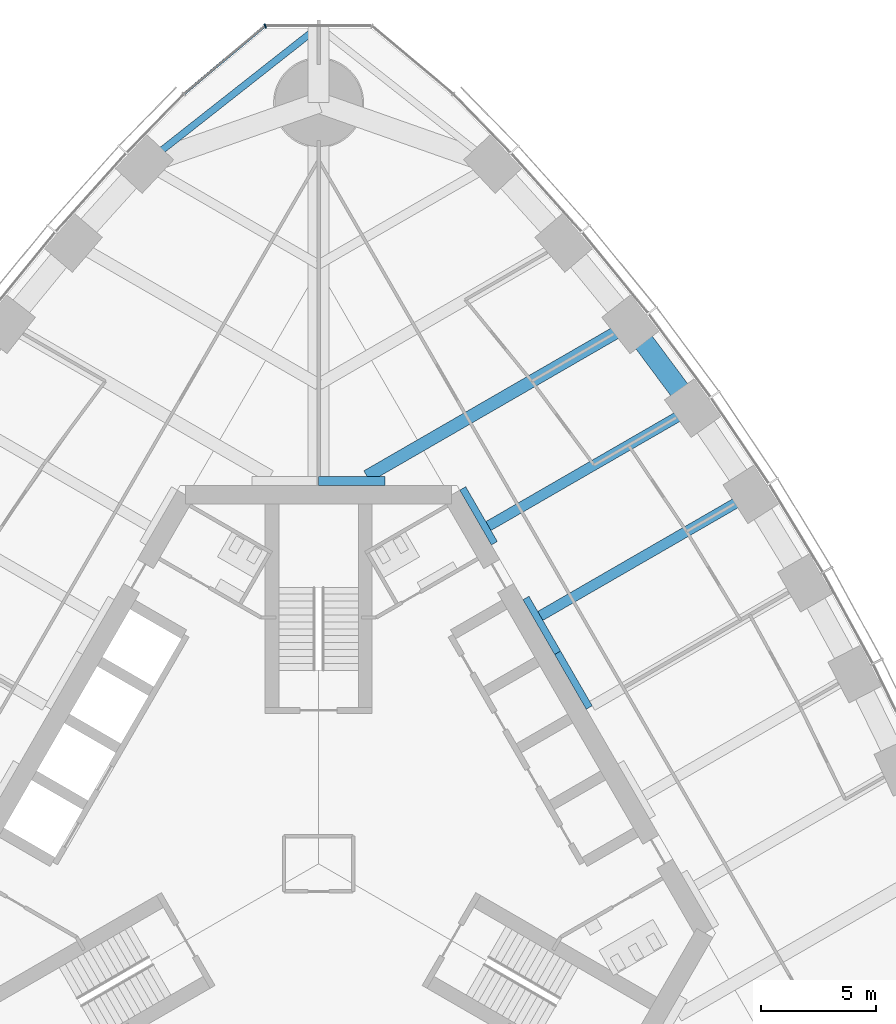
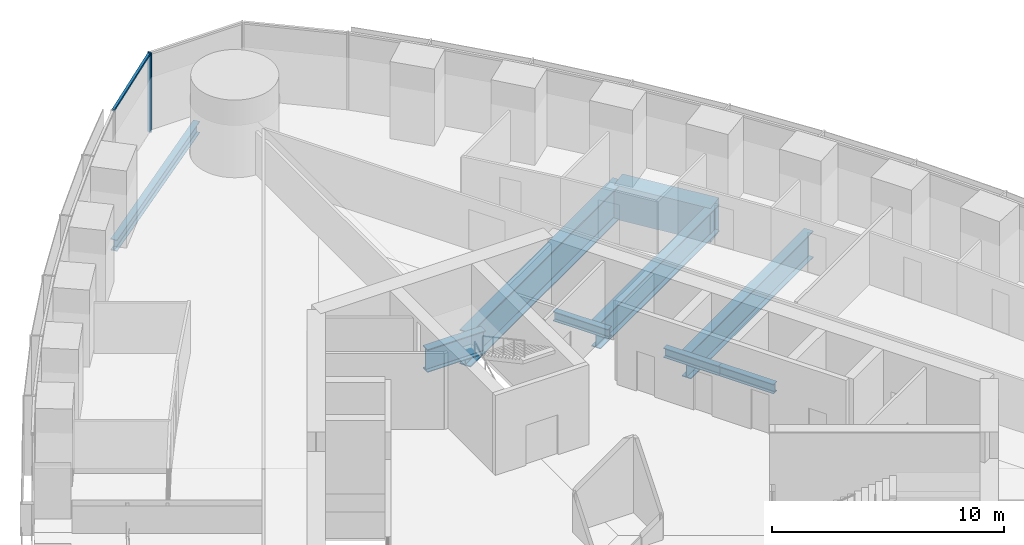
# One storey, part 6 of 19: 9 beams, 2 members, 1 element without a shape of its own.
"""IFC4 building model written with IfcOpenShell, lengths in metres."""

import ifcopenshell
import ifcopenshell.guid

model = None  # the IFC model being written
_history = None  # IfcOwnerHistory: only IFC2X3 demands one
_inside = {}  # id of a spatial element -> (the spatial element, [elements in it])
_under = {}  # id of a project, library or spatial element -> (it, [spatial elements below it])
_declared = {}  # id of a project -> (the project, [libraries it declares])
_typed = {}  # id of a type object -> (the type object, [elements of that type])
_made_of = {}  # id of a material, layer set ... -> (it, [elements and type objects made of it])


def new_model(schema):
    """Start an empty IFC model of exactly this schema.

    Asked for "IFC4X3", IfcOpenShell would pick the latest addendum, in which some entities
    have other attributes; the version numbers below select the first issue.
    IFC2X3 requires an IfcOwnerHistory on every rooted entity: one is made here for all.
    """
    global model, _history
    if schema == "IFC4X3":
        model = ifcopenshell.file(schema_version=(4, 3, 0, 0))
    else:
        model = ifcopenshell.file(schema=schema)
    _inside.clear()
    _under.clear()
    _declared.clear()
    _typed.clear()
    _made_of.clear()
    _history = None
    if model.schema == "IFC2X3":
        org = make("IfcOrganization", Name="unknown")
        user = make(
            "IfcPersonAndOrganization",
            ThePerson=make("IfcPerson", FamilyName="unknown"),
            TheOrganization=org,
        )
        app = make(
            "IfcApplication",
            ApplicationDeveloper=org,
            Version="unknown",
            ApplicationFullName="unknown",
            ApplicationIdentifier="unknown",
        )
        _history = make(
            "IfcOwnerHistory",
            OwningUser=user,
            OwningApplication=app,
            ChangeAction="ADDED",
            CreationDate=0,
        )
    return model


def make(cls, **values):
    """One entity of the class cls with the attributes given. An attribute that is None is left unset."""
    return model.create_entity(
        cls, **{name: value for name, value in values.items() if value is not None}
    )


def rooted(cls, **values):
    """An entity with a GlobalId (a new one), such as an element, a storey or a relation."""
    return make(cls, GlobalId=ifcopenshell.guid.new(), OwnerHistory=_history, **values)


def si_unit(unit_type, name, prefix=None):
    """IfcSIUnit, for example si_unit("LENGTHUNIT", "METRE", prefix="MILLI")."""
    return make("IfcSIUnit", UnitType=unit_type, Prefix=prefix, Name=name)


def assignment(units):
    """IfcUnitAssignment: the units of a project."""
    return None if units is None else make("IfcUnitAssignment", Units=units)


def point(xyz):
    """IfcCartesianPoint."""
    return None if xyz is None else make("IfcCartesianPoint", Coordinates=xyz)


def direction(xyz):
    """IfcDirection."""
    return None if xyz is None else make("IfcDirection", DirectionRatios=xyz)


def frame(location, z_axis=None, x_axis=None):
    """IfcAxis2Placement3D, a coordinate frame: its origin and axes. An axis left out is left unset."""
    return make(
        "IfcAxis2Placement3D",
        Location=point(location),
        Axis=direction(z_axis),
        RefDirection=direction(x_axis),
    )


def frame_2d(location, x_axis=None):
    """IfcAxis2Placement2D, a coordinate frame in the plane: its origin and x axis."""
    return make(
        "IfcAxis2Placement2D", Location=point(location), RefDirection=direction(x_axis)
    )


def origin():
    """The frame at (0, 0, 0) with its axes left unset."""
    return frame((0.0, 0.0, 0.0))


def origin_2d():
    """The frame at (0, 0) in the plane with its x axis left unset."""
    return frame_2d((0.0, 0.0))


def place(relative_to, where):
    """IfcLocalPlacement: puts the frame where relative to a parent placement (None: the world)."""
    return make(
        "IfcLocalPlacement", PlacementRelTo=relative_to, RelativePlacement=where
    )


def context(
    kind, dimensions, precision=None, world=None, true_north=None, identifier=None
):
    """IfcGeometricRepresentationContext, for example the 3D "Model" context."""
    return make(
        "IfcGeometricRepresentationContext",
        ContextIdentifier=identifier,
        ContextType=kind,
        CoordinateSpaceDimension=dimensions,
        Precision=precision,
        WorldCoordinateSystem=world,
        TrueNorth=true_north,
    )


def subcontext(parent, identifier, kind, view, scale=None):
    """IfcGeometricRepresentationSubContext, for example "Body" below "Model"."""
    return make(
        "IfcGeometricRepresentationSubContext",
        ContextIdentifier=identifier,
        ContextType=kind,
        ParentContext=parent,
        TargetScale=scale,
        TargetView=view,
    )


def project(units=None, contexts=None):
    """IfcProject with its units and contexts."""
    return rooted(
        "IfcProject",
        Name="project",
        RepresentationContexts=contexts,
        UnitsInContext=assignment(units),
    )


def spatial(cls, under=None, at=None, **own):
    """A site, building, storey or space (cls), placed at a placement, below another one or the project."""
    s = rooted(cls, ObjectPlacement=at, **own)
    if under is not None:
        _under.setdefault(under.id(), (under, []))[1].append(s)
    return s


def profile(cls, at=None, kind="AREA", **sizes):
    """A parametric profile (cls). Its sizes go by their IFC names, for example OverallWidth=200.0."""
    return make(cls, ProfileType=kind, Position=at, **sizes)


def rectangle(**sizes):
    """IfcRectangleProfileDef."""
    return profile("IfcRectangleProfileDef", **sizes)


def i_section(**sizes):
    """IfcIShapeProfileDef."""
    return profile("IfcIShapeProfileDef", **sizes)


def extrude(swept, where, along, depth):
    """IfcExtrudedAreaSolid: the profile swept, set in the frame where, extruded along a direction by depth."""
    return make(
        "IfcExtrudedAreaSolid",
        SweptArea=swept,
        Position=where,
        ExtrudedDirection=direction(along),
        Depth=depth,
    )


def shape(context_of_items, identifier, shape_type, items):
    """IfcShapeRepresentation: the items that make up one representation, for example the "Body"."""
    return make(
        "IfcShapeRepresentation",
        ContextOfItems=context_of_items,
        RepresentationIdentifier=identifier,
        RepresentationType=shape_type,
        Items=items,
    )


def material(Name=None, Category=None):
    """IfcMaterial."""
    return make("IfcMaterial", Name=Name, Category=Category)


def material_profile(
    of_material, cross_section, Name=None, Category=None, Priority=None
):
    """IfcMaterialProfile: a cross section and its material."""
    return make(
        "IfcMaterialProfile",
        Name=Name,
        Material=of_material,
        Profile=cross_section,
        Priority=Priority,
        Category=Category,
    )


def profile_set(profiles, Name=None, composite=None):
    """IfcMaterialProfileSet."""
    return make(
        "IfcMaterialProfileSet",
        Name=Name,
        MaterialProfiles=profiles,
        CompositeProfile=composite,
    )


def made_of(thing, what):
    """Note that an element or type object is made of a material, layer set ...; save() writes the relation."""
    if what is not None:
        _made_of.setdefault(what.id(), (what, []))[1].append(thing)
    return thing


def type_object(cls, material=None, **own):
    """A type object (cls), such as IfcWallType, which elements share."""
    return made_of(rooted(cls, **own), material)


def element(
    cls,
    number,
    at=None,
    inside=None,
    cuts=None,
    type_object=None,
    material=None,
    context=None,
    identifier="Body",
    shape_type=None,
    held_by="IfcProductDefinitionShape",
    body=None,
    shapes=None,
    **own,
):
    """One element of the class cls, such as IfcWall. Its Tag is "e" and its number.

    at: its placement. inside: the storey or other place that contains it. cuts: it is an
    opening in that element (IfcRelVoidsElement). A single representation is given by context,
    identifier, shape_type and body (its items); several are given by shapes. held_by: the class
    of the entity that holds the representations. save() writes the other relations.
    """
    e = rooted(cls, Tag="e%d" % number, ObjectPlacement=at, **own)
    if body is not None:
        shapes = [shape(context, identifier, shape_type, body)]
    if shapes is not None:
        e.Representation = make(held_by, Representations=shapes)
    if inside is not None:
        _inside.setdefault(inside.id(), (inside, []))[1].append(e)
    if cuts is not None:
        rooted(
            "IfcRelVoidsElement", RelatingBuildingElement=cuts, RelatedOpeningElement=e
        )
    if type_object is not None:
        _typed.setdefault(type_object.id(), (type_object, []))[1].append(e)
    return made_of(e, material)


def aggregate(whole, parts):
    """IfcRelAggregates: a whole, such as a stair, and the parts it consists of."""
    return rooted("IfcRelAggregates", RelatingObject=whole, RelatedObjects=parts)


def save(model, path):
    """Write the relations noted so far, then the file.

    IfcRelAggregates (storeys below a building ...), IfcRelContainedInSpatialStructure (elements
    in a storey), IfcRelDefinesByType, IfcRelAssociatesMaterial and IfcRelDeclares: one each for
    every whole, place, type object, material and project.
    """
    for whole, parts in _under.values():
        aggregate(whole, parts)
    for where, things in _inside.values():
        rooted(
            "IfcRelContainedInSpatialStructure",
            RelatedElements=things,
            RelatingStructure=where,
        )
    for kind, things in _typed.values():
        rooted("IfcRelDefinesByType", RelatedObjects=things, RelatingType=kind)
    for what, things in _made_of.values():
        rooted("IfcRelAssociatesMaterial", RelatedObjects=things, RelatingMaterial=what)
    for by, libraries in _declared.values():
        rooted("IfcRelDeclares", RelatingContext=by, RelatedDefinitions=libraries)
    model.write(path)


model = new_model("IFC4")

# Units and contexts
model_context = context("Model", 3, precision=1e-05, world=origin(), true_north=direction((0.0, 1.0)))
body_context = subcontext(model_context, "Body", "Model", "MODEL_VIEW")
ifc_project = project(units=[si_unit("LENGTHUNIT", "METRE"), si_unit("AREAUNIT", "SQUARE_METRE"), si_unit("VOLUMEUNIT", "CUBIC_METRE"), si_unit("PLANEANGLEUNIT", "RADIAN"), si_unit("MASSUNIT", "GRAM", prefix="KILO")], contexts=[model_context])

# Site, building, storey
site_placement = place(None, origin())
site = spatial("IfcSite", under=ifc_project, at=site_placement, CompositionType="ELEMENT")
building_placement = place(site_placement, origin())
building = spatial("IfcBuilding", under=site, at=building_placement, Name="Trefoil Bronze Tower", CompositionType="ELEMENT")
storey_placement = place(building_placement, frame((0.0, 0.0, 193.89990234375)))
storey = spatial("IfcBuildingStorey", under=building, at=storey_placement, Name="L44", CompositionType="ELEMENT", Elevation=193.89990234375)

# Curtain wall, members
ifc_material_1 = material(Name="Tinted solar-control glass", Category="glass")
curtain_wall_type = type_object("IfcCurtainWallType", Name="Bronze rounded corner curtain wall", PredefinedType="USERDEFINED", material=ifc_material_1)
curtain_wall_placement = place(storey_placement, origin())
curtain_wall = element("IfcCurtainWall", 1, at=curtain_wall_placement, inside=storey, type_object=curtain_wall_type, Name="CW-B L44 K2", ObjectType="CURTAIN WALL", PredefinedType="USERDEFINED")
ifc_material_2 = material(Name="Bronze-finish aluminium", Category="aluminium")
ifc_material_profile_1 = material_profile(ifc_material_2, rectangle(XDim=0.199951171875, YDim=0.06005859375, at=origin_2d()), Name="CW-B mullion")
ifc_profile_set_1 = profile_set([ifc_material_profile_1], Name="Bronze-finish aluminium")
member_type_1 = type_object("IfcMemberType", Name="Bronze rounded corner curtain wall mullion", PredefinedType="MULLION", material=ifc_profile_set_1)
member_1_placement = place(storey_placement, frame((-2.314453125, 36.326416015625, 0.0), z_axis=(0.0, 0.0, 1.0), x_axis=(0.342020143326, -0.939692620786, 0.0)))
member_1 = element("IfcMember", 2, at=member_1_placement, type_object=member_type_1, Name="CW-B L44 K2 mullion 3", PredefinedType="MULLION", context=body_context, shape_type="SweptSolid", body=[
    extrude(rectangle(XDim=0.199951171875, YDim=0.06005859375, at=origin_2d()), origin(), (0.0, 0.0, 1.0), 4.18017578125),
])
ifc_material_3 = material(Name="Bronze-finish aluminium", Category="aluminium")
ifc_material_profile_2 = material_profile(ifc_material_3, rectangle(XDim=0.1201171875, YDim=0.10009765625, at=origin_2d()), Name="CW-B transom")
ifc_profile_set_2 = profile_set([ifc_material_profile_2], Name="Bronze-finish aluminium")
member_type_2 = type_object("IfcMemberType", Name="Bronze rounded corner curtain wall transom", PredefinedType="USERDEFINED", material=ifc_profile_set_2)
member_2_placement = place(storey_placement, frame((-2.367431640625, 36.289794921875, 4.130126953125), z_axis=(-0.766046761698, -0.642784846501, 0.0), x_axis=(0.642784846501, -0.766046761698, 0.0)))
member_2 = element("IfcMember", 3, at=member_2_placement, type_object=member_type_2, Name="CW-B L44 K2 transom 3", ObjectType="TRANSOM", PredefinedType="USERDEFINED", context=body_context, shape_type="SweptSolid", body=[
    extrude(rectangle(XDim=0.1201171875, YDim=0.10009765625, at=origin_2d()), origin(), (0.0, 0.0, 1.0), 4.5),
])
aggregate(curtain_wall, [member_1, member_2])

# Beams
ifc_material_4 = material(Name="Steel C355", Category="steel")
ifc_material_profile_3 = material_profile(ifc_material_4, i_section(OverallWidth=0.300048828125, OverallDepth=0.5, WebThickness=0.014404296875, FlangeThickness=0.028076171875, FilletRadius=0.027099609375, at=origin_2d()), Name="HEB 500")
ifc_profile_set_3 = profile_set([ifc_material_profile_3], Name="Steel C355")
beam_type_1 = type_object("IfcBeamType", Name="Core seat beam HEB 500", PredefinedType="BEAM", material=ifc_profile_set_3)
for number, where, z_axis, x_axis, name in (
    (4, (11.734619140625, 6.77490234375, -0.449951171875), (-0.499969057507, 0.866043267704, 0.0), (-0.866043267704, -0.499969057507, 0.0), "Core seat beam F2/+0 L44"),
    (5, (10.363525390625, 9.14990234375, -0.449951171875), (-0.500035825175, 0.866004719122, 0.0), (-0.866004719122, -0.500035825175, 0.0), "Core seat beam F2/+1 L44"),
    (6, (7.62109375, 13.89990234375, -0.449951171875), (-0.500035825175, 0.866004719122, 0.0), (-0.866004719122, -0.500035825175, 0.0), "Core seat beam F2/+2 L44"),
):
    element("IfcBeam", number, at=place(storey_placement, frame(where, z_axis=z_axis, x_axis=x_axis)), inside=storey, type_object=beam_type_1, Name=name, PredefinedType="BEAM", context=body_context, shape_type="SweptSolid", body=[
        extrude(i_section(OverallWidth=0.300048828125, OverallDepth=0.5, WebThickness=0.014404296875, FlangeThickness=0.028076171875, FilletRadius=0.027099609375, at=origin_2d()), origin(), (0.0, 0.0, 1.0), 2.742431640625),
    ])
ifc_material_5 = material(Name="Steel C355", Category="steel")
ifc_material_profile_4 = material_profile(ifc_material_5, i_section(OverallWidth=0.39990234375, OverallDepth=1.199951171875, WebThickness=0.02001953125, FlangeThickness=0.0400390625, FilletRadius=0.010009765625, at=origin_2d()), Name="WPG 1200")
ifc_profile_set_4 = profile_set([ifc_material_profile_4], Name="Steel C355")
beam_type_2 = type_object("IfcBeamType", Name="Core seat beam WPG 1200", PredefinedType="BEAM", material=ifc_profile_set_4)
beam_1_placement = place(storey_placement, frame((2.88671875, 16.60009765625, -0.7998046875), z_axis=(-1.0, 0.0, 0.0), x_axis=(0.0, -1.0, 0.0)))
element("IfcBeam", 7, at=beam_1_placement, inside=storey, type_object=beam_type_2, Name="Core seat beam F2/+3 L44", PredefinedType="BEAM", context=body_context, shape_type="SweptSolid", body=[
    extrude(i_section(OverallWidth=0.39990234375, OverallDepth=1.199951171875, WebThickness=0.02001953125, FlangeThickness=0.0400390625, FilletRadius=0.010009765625, at=origin_2d()), origin(), (0.0, 0.0, 1.0), 2.88671875),
])
ifc_material_6 = material(Name="Steel C355", Category="steel")
ifc_material_profile_5 = material_profile(ifc_material_6, i_section(OverallWidth=0.300048828125, OverallDepth=0.60009765625, WebThickness=0.015380859375, FlangeThickness=0.030029296875, FilletRadius=0.027099609375, at=origin_2d()), Name="HEB 600")
ifc_profile_set_5 = profile_set([ifc_material_profile_5], Name="Steel C355")
beam_type_3 = type_object("IfcBeamType", Name="Corner edge beam HEB 600", PredefinedType="BEAM", material=ifc_profile_set_5)
beam_2_placement = place(storey_placement, frame((-7.552001953125, 30.3408203125, -0.5), z_axis=(0.785805912008, 0.618473175371, 0.0), x_axis=(-0.618473175371, 0.785805912008, 0.0)))
element("IfcBeam", 8, at=beam_2_placement, inside=storey, type_object=beam_type_3, Name="Corner edge beam F3B L44", PredefinedType="BEAM", context=body_context, shape_type="SweptSolid", body=[
    extrude(i_section(OverallWidth=0.300048828125, OverallDepth=0.60009765625, WebThickness=0.015380859375, FlangeThickness=0.030029296875, FilletRadius=0.027099609375, at=origin_2d()), origin(), (0.0, 0.0, 1.0), 9.610595703125),
])
ifc_material_7 = material(Name="Steel C355", Category="steel")
ifc_material_profile_6 = material_profile(ifc_material_7, i_section(OverallWidth=0.449951171875, OverallDepth=1.39990234375, WebThickness=0.02294921875, FlangeThickness=0.044921875, FilletRadius=0.011962890625, at=origin_2d()), Name="WPG 1400")
ifc_profile_set_6 = profile_set([ifc_material_profile_6], Name="Steel C355")
beam_type_4 = type_object("IfcBeamType", Name="Floor beam WPG 1400", PredefinedType="BEAM", material=ifc_profile_set_6)
beam_3_placement = place(storey_placement, frame((18.748046875, 16.020263671875, -0.89990234375), z_axis=(-0.866027918957, -0.499995643569, 0.0), x_axis=(0.499995643569, -0.866027918957, 0.0)))
element("IfcBeam", 9, at=beam_3_placement, inside=storey, type_object=beam_type_4, Name="Floor beam F2/+1 L44", PredefinedType="BEAM", context=body_context, shape_type="SweptSolid", body=[
    extrude(i_section(OverallWidth=0.449951171875, OverallDepth=1.39990234375, WebThickness=0.02294921875, FlangeThickness=0.044921875, FilletRadius=0.011962890625, at=origin_2d()), origin(), (0.0, 0.0, 1.0), 10.54638671875),
])
beam_4_placement = place(storey_placement, frame((16.2265625, 19.7607421875, -0.89990234375), z_axis=(-0.866027856548, -0.499995751665, 0.0), x_axis=(0.499995751665, -0.866027856548, 0.0)))
element("IfcBeam", 10, at=beam_4_placement, inside=storey, type_object=beam_type_4, Name="Floor beam F2/+2 L44", PredefinedType="BEAM", context=body_context, shape_type="SweptSolid", body=[
    extrude(i_section(OverallWidth=0.449951171875, OverallDepth=1.39990234375, WebThickness=0.02294921875, FlangeThickness=0.044921875, FilletRadius=0.011962890625, at=origin_2d()), origin(), (0.0, 0.0, 1.0), 10.23291015625),
])
ifc_material_8 = material(Name="Steel C355", Category="steel")
ifc_material_profile_7 = material_profile(ifc_material_8, i_section(OverallWidth=0.550048828125, OverallDepth=1.800048828125, WebThickness=0.029052734375, FlangeThickness=0.054931640625, FilletRadius=0.013916015625, at=origin_2d()), Name="WPG 1800")
ifc_profile_set_7 = profile_set([ifc_material_profile_7], Name="Steel C355")
beam_type_5 = type_object("IfcBeamType", Name="Floor beam WPG 1800", PredefinedType="BEAM", material=ifc_profile_set_7)
beam_5_placement = place(storey_placement, frame((13.522216796875, 23.3955078125, -1.099853515625), z_axis=(-0.866028399451, -0.499994811317, 0.0), x_axis=(0.499994811317, -0.866028399451, 0.0)))
element("IfcBeam", 11, at=beam_5_placement, inside=storey, type_object=beam_type_5, Name="Floor beam F2/+3 L44", PredefinedType="BEAM", context=body_context, shape_type="SweptSolid", body=[
    extrude(i_section(OverallWidth=0.550048828125, OverallDepth=1.800048828125, WebThickness=0.029052734375, FlangeThickness=0.054931640625, FilletRadius=0.013916015625, at=origin_2d()), origin(), (0.0, 0.0, 1.0), 13.191162109375),
])
ifc_material_9 = material(Name="Concrete B80", Category="concrete")
ifc_material_profile_8 = material_profile(ifc_material_9, rectangle(XDim=0.89990234375, YDim=1.800048828125, at=origin_2d()), Name="RC 900x1800")
ifc_profile_set_8 = profile_set([ifc_material_profile_8], Name="Concrete B80")
beam_type_6 = type_object("IfcBeamType", Name="Spandrel beam RC 900x1800", PredefinedType="SPANDREL", material=ifc_profile_set_8)
beam_6_placement = place(storey_placement, frame((16.2265625, 19.7607421875, -1.099853515625), z_axis=(-0.596926078257, 0.802296240236, 0.0), x_axis=(-0.802296240236, -0.596926078257, 0.0)))
element("IfcBeam", 12, at=beam_6_placement, inside=storey, type_object=beam_type_6, Name="Spandrel F2.9 L44", PredefinedType="SPANDREL", context=body_context, shape_type="SweptSolid", body=[
    extrude(rectangle(XDim=0.89990234375, YDim=1.800048828125, at=origin_2d()), origin(), (0.0, 0.0, 1.0), 4.530517578125),
])

save(model, "model.ifc")
